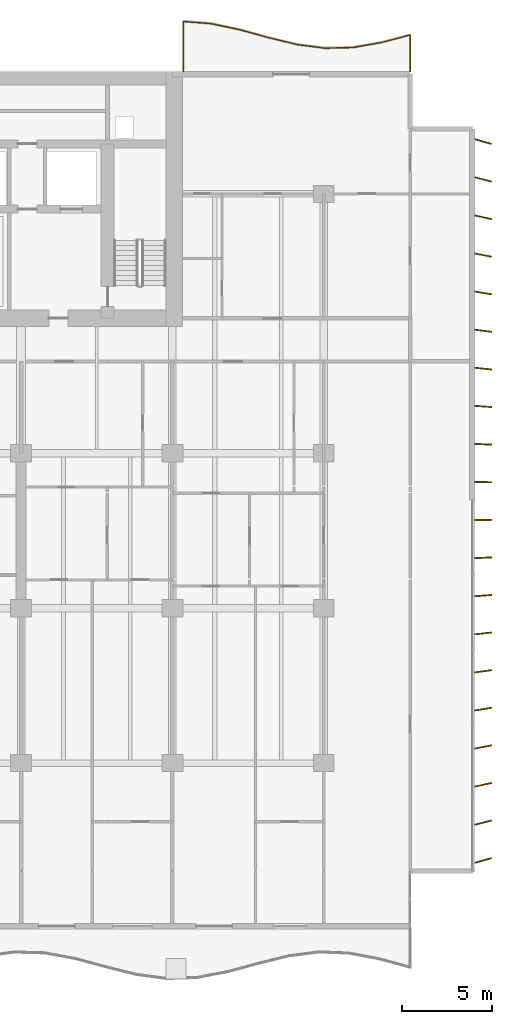
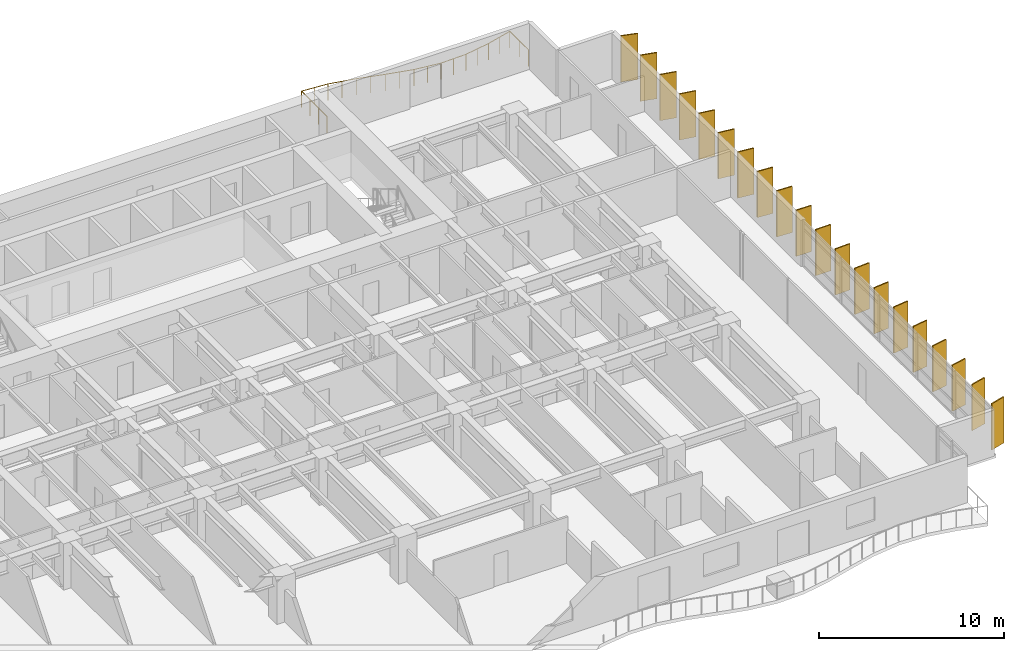
# One storey, part 17 of 17: 20 shading devices, 1 railing.
"""IFC4 building model written with IfcOpenShell, lengths in metres."""

from ifc_helpers import new_model, si_unit, direction, frame, origin, origin_2d, place, context, subcontext, project, spatial, rectangle, circle, extrude, material, material_profile, profile_set, type_object, element, save


model = new_model("IFC4")

# Units and contexts
model_context = context("Model", 3, precision=1e-05, world=origin(), true_north=direction((0.0, 1.0)))
body_context = subcontext(model_context, "Body", "Model", "MODEL_VIEW")
ifc_project = project(units=[si_unit("LENGTHUNIT", "METRE"), si_unit("AREAUNIT", "SQUARE_METRE"), si_unit("VOLUMEUNIT", "CUBIC_METRE"), si_unit("PLANEANGLEUNIT", "RADIAN"), si_unit("MASSUNIT", "GRAM", prefix="KILO")], contexts=[model_context])

# Site, building, storey
site_placement = place(None, origin())
site = spatial("IfcSite", under=ifc_project, at=site_placement, CompositionType="ELEMENT")
building_placement = place(site_placement, origin())
building = spatial("IfcBuilding", under=site, at=building_placement, Name="Caelmar Bay Residences", CompositionType="ELEMENT")
storey_placement = place(building_placement, frame((0.0, 0.0, 30.0)))
storey = spatial("IfcBuildingStorey", under=building, at=storey_placement, Name="L06", CompositionType="ELEMENT", Elevation=30.0)

# Railing
ifc_material_1 = material(Name="Anodised bronze handrail with laminated hurricane glass infill", Category="glass")
railing_type = type_object("IfcRailingType", Name="RL-BAL-1100", PredefinedType="BALUSTRADE", material=ifc_material_1)
railing_placement = place(storey_placement, frame((72.699951171875, 50.60009765625, 0.0)))
element("IfcRailing", 1, at=railing_placement, inside=storey, type_object=railing_type, Name="L06 north_east Balcony Balustrade", PredefinedType="BALUSTRADE", context=body_context, shape_type="SweptSolid", body=[
    extrude(circle(Radius=0.02392578125, at=origin_2d()), frame((0.0, 0.0, 1.076171875), z_axis=(0.0, 1.0, 0.0), x_axis=(-1.0, 0.0, 0.0)), (0.0, 0.0, 1.0), 2.02001953125),
    extrude(circle(Radius=0.02392578125, at=origin_2d()), frame((0.0, 2.02001953125, 1.076171875), z_axis=(-0.966728120508, -0.255806061341, 0.0), x_axis=(0.255806061341, -0.966728120508, 0.0)), (0.0, 0.0, 1.0), 1.629150390625),
    extrude(circle(Radius=0.02392578125, at=origin_2d()), frame((-1.574951171875, 1.603271484375, 1.076171875), z_axis=(-0.984950641335, -0.172835858935, 0.0), x_axis=(0.172835858935, -0.984950641335, 0.0)), (0.0, 0.0, 1.0), 1.59912109375),
    extrude(circle(Radius=0.02392578125, at=origin_2d()), frame((-3.14990234375, 1.326904296875, 1.076171875), z_axis=(-0.9996364388, -0.026962756216, 0.0), x_axis=(0.026962756216, -0.9996364388, 0.0)), (0.0, 0.0, 1.0), 1.575439453125),
    extrude(circle(Radius=0.02392578125, at=origin_2d()), frame((-4.724853515625, 1.284423828125, 1.076171875), z_axis=(-0.991631235968, 0.129102640765, 0.0), x_axis=(-0.129102640765, -0.991631235968, 0.0)), (0.0, 0.0, 1.0), 1.58837890625),
    extrude(circle(Radius=0.02392578125, at=origin_2d()), frame((-6.300048828125, 1.489501953125, 1.076171875), z_axis=(-0.971534712274, 0.236897241111, 0.0), x_axis=(-0.236897241111, -0.971534712274, 0.0)), (0.0, 0.0, 1.0), 1.62109375),
    extrude(circle(Radius=0.02392578125, at=origin_2d()), frame((-7.875, 1.87353515625, 1.076171875), z_axis=(-0.964168126778, 0.265291958616, 0.0), x_axis=(-0.265291958616, -0.964168126778, 0.0)), (0.0, 0.0, 1.0), 1.633544921875),
    extrude(circle(Radius=0.02392578125, at=origin_2d()), frame((-9.449951171875, 2.306884765625, 1.076171875), z_axis=(-0.977906557301, 0.209042496127, 0.0), x_axis=(-0.209042496127, -0.977906557301, 0.0)), (0.0, 0.0, 1.0), 1.610595703125),
    extrude(circle(Radius=0.02392578125, at=origin_2d()), frame((-11.02490234375, 2.6435546875, 1.076171875), z_axis=(-0.996791652008, 0.08004000554, 0.0), x_axis=(-0.08004000554, -0.996791652008, 0.0)), (0.0, 0.0, 1.0), 1.580078125),
    extrude(circle(Radius=0.02392578125, at=origin_2d()), frame((-12.599853515625, 2.77001953125, 1.076171875), z_axis=(0.0, -1.0, 0.0), x_axis=(1.0, 0.0, 0.0)), (0.0, 0.0, 1.0), 2.77001953125),
    extrude(circle(Radius=0.02099609375, at=origin_2d()), origin(), (0.0, 0.0, 1.0), 1.052001953125),
    extrude(circle(Radius=0.02099609375, at=origin_2d()), frame((0.0, 1.010009765625, 0.0)), (0.0, 0.0, 1.0), 1.052001953125),
    extrude(circle(Radius=0.02099609375, at=origin_2d()), frame((0.0, 2.02001953125, 0.0)), (0.0, 0.0, 1.0), 1.052001953125),
    extrude(circle(Radius=0.02099609375, at=origin_2d()), frame((-0.78759765625, 1.8115234375, 0.0)), (0.0, 0.0, 1.0), 1.052001953125),
    extrude(circle(Radius=0.02099609375, at=origin_2d()), frame((-1.574951171875, 1.603271484375, 0.0)), (0.0, 0.0, 1.0), 1.052001953125),
    extrude(circle(Radius=0.02099609375, at=origin_2d()), frame((-2.3623046875, 1.465087890625, 0.0)), (0.0, 0.0, 1.0), 1.052001953125),
    extrude(circle(Radius=0.02099609375, at=origin_2d()), frame((-3.14990234375, 1.326904296875, 0.0)), (0.0, 0.0, 1.0), 1.052001953125),
    extrude(circle(Radius=0.02099609375, at=origin_2d()), frame((-3.9375, 1.3056640625, 0.0)), (0.0, 0.0, 1.0), 1.052001953125),
    extrude(circle(Radius=0.02099609375, at=origin_2d()), frame((-4.724853515625, 1.284423828125, 0.0)), (0.0, 0.0, 1.0), 1.052001953125),
    extrude(circle(Radius=0.02099609375, at=origin_2d()), frame((-5.512451171875, 1.386962890625, 0.0)), (0.0, 0.0, 1.0), 1.052001953125),
    extrude(circle(Radius=0.02099609375, at=origin_2d()), frame((-6.300048828125, 1.489501953125, 0.0)), (0.0, 0.0, 1.0), 1.052001953125),
    extrude(circle(Radius=0.02099609375, at=origin_2d()), frame((-7.08740234375, 1.681640625, 0.0)), (0.0, 0.0, 1.0), 1.052001953125),
    extrude(circle(Radius=0.02099609375, at=origin_2d()), frame((-7.875, 1.87353515625, 0.0)), (0.0, 0.0, 1.0), 1.052001953125),
    extrude(circle(Radius=0.02099609375, at=origin_2d()), frame((-8.66259765625, 2.09033203125, 0.0)), (0.0, 0.0, 1.0), 1.052001953125),
    extrude(circle(Radius=0.02099609375, at=origin_2d()), frame((-9.449951171875, 2.306884765625, 0.0)), (0.0, 0.0, 1.0), 1.052001953125),
    extrude(circle(Radius=0.02099609375, at=origin_2d()), frame((-10.2373046875, 2.47509765625, 0.0)), (0.0, 0.0, 1.0), 1.052001953125),
    extrude(circle(Radius=0.02099609375, at=origin_2d()), frame((-11.02490234375, 2.6435546875, 0.0)), (0.0, 0.0, 1.0), 1.052001953125),
    extrude(circle(Radius=0.02099609375, at=origin_2d()), frame((-11.8125, 2.706787109375, 0.0)), (0.0, 0.0, 1.0), 1.052001953125),
    extrude(circle(Radius=0.02099609375, at=origin_2d()), frame((-12.599853515625, 2.77001953125, 0.0)), (0.0, 0.0, 1.0), 1.052001953125),
    extrude(circle(Radius=0.02099609375, at=origin_2d()), frame((-12.599853515625, 1.8466796875, 0.0)), (0.0, 0.0, 1.0), 1.052001953125),
    extrude(circle(Radius=0.02099609375, at=origin_2d()), frame((-12.599853515625, 0.92333984375, 0.0)), (0.0, 0.0, 1.0), 1.052001953125),
    extrude(circle(Radius=0.02099609375, at=origin_2d()), frame((-12.599853515625, 0.0, 0.0)), (0.0, 0.0, 1.0), 1.052001953125),
])

# Shading devices
ifc_material_2 = material(Name="Anodised architectural bronze aluminium 6063-T6", Category="aluminium")
ifc_material_profile = material_profile(ifc_material_2, rectangle(XDim=0.074951171875, YDim=0.949951171875, at=origin_2d()), Name="BRONZE-FIN-75X950")
ifc_profile_set = profile_set([ifc_material_profile], Name="Anodised architectural bronze aluminium 6063-T6")
shading_device_type = type_object("IfcShadingDeviceType", Name="SHD-FIN-950", PredefinedType="USERDEFINED", material=ifc_profile_set)
for number, where, z_axis, x_axis, name in (
    (2, (76.75, 6.800048828125, 0.0), (0.0, 0.0, 1.0), (-0.275637355817, 0.961261695938, 0.0), "L06 East Bronze Solar Fin 1"),
    (3, (76.75, 8.89990234375, 0.0), (0.0, 0.0, 1.0), (-0.247337247968, 0.968929453452, 0.0), "L06 East Bronze Solar Fin 2"),
    (4, (76.75, 11.0, 0.0), (0.0, 0.0, 1.0), (-0.218654200292, 0.975802408633, 0.0), "L06 East Bronze Solar Fin 3"),
    (5, (76.75, 13.10009765625, 0.0), (0.0, 0.0, 1.0), (-0.189952291512, 0.981793321911, 0.0), "L06 East Bronze Solar Fin 4"),
    (6, (76.75, 15.199951171875, 0.0), (0.0, 0.0, 1.0), (-0.160914826518, 0.986968296657, 0.0), "L06 East Bronze Solar Fin 5"),
    (7, (76.75, 17.300048828125, 0.0), (0.0, 0.0, 1.0), (-0.131910382711, 0.991261646052, 0.0), "L06 East Bronze Solar Fin 6"),
    (8, (76.75, 19.39990234375, 0.0), (0.0, 0.0, 1.0), (-0.10261892683, 0.994720742649, 0.0), "L06 East Bronze Solar Fin 7"),
    (9, (76.75, 21.5, 0.0), (0.0, 0.0, 1.0), (-0.073412260224, 0.997301679558, 0.0), "L06 East Bronze Solar Fin 8"),
    (10, (76.75, 23.60009765625, 0.0), (0.0, 0.0, 1.0), (-0.044142481788, 0.999025245578, 0.0), "L06 East Bronze Solar Fin 9"),
    (11, (76.75, 25.699951171875, 0.0), (0.0, 0.0, 1.0), (-0.01466024053, 0.999892532899, 0.0), "L06 East Bronze Solar Fin 10"),
    (12, (76.75, 27.800048828125, 0.0), (0.0, 0.0, 1.0), (0.01466024053, 0.999892532899, 0.0), "L06 East Bronze Solar Fin 11"),
    (13, (76.75, 29.89990234375, 0.0), (0.0, 0.0, 1.0), (0.044142481788, 0.999025245578, 0.0), "L06 East Bronze Solar Fin 12"),
    (14, (76.75, 32.0, 0.0), (0.0, 0.0, 1.0), (0.073412260224, 0.997301679558, 0.0), "L06 East Bronze Solar Fin 13"),
    (15, (76.75, 34.10009765625, 0.0), (0.0, 0.0, 1.0), (0.10261892683, 0.994720742649, 0.0), "L06 East Bronze Solar Fin 14"),
    (16, (76.75, 36.199951171875, 0.0), (0.0, 0.0, 1.0), (0.131910382711, 0.991261646052, 0.0), "L06 East Bronze Solar Fin 15"),
    (17, (76.75, 38.300048828125, 0.0), (0.0, 0.0, 1.0), (0.160914826518, 0.986968296657, 0.0), "L06 East Bronze Solar Fin 16"),
    (18, (76.75, 40.39990234375, 0.0), (0.0, 0.0, 1.0), (0.189952291512, 0.981793321911, 0.0), "L06 East Bronze Solar Fin 17"),
    (19, (76.75, 42.5, 0.0), (0.0, 0.0, 1.0), (0.218654200292, 0.975802408633, 0.0), "L06 East Bronze Solar Fin 18"),
    (20, (76.75, 44.60009765625, 0.0), (0.0, 0.0, 1.0), (0.247337247968, 0.968929453452, 0.0), "L06 East Bronze Solar Fin 19"),
    (21, (76.75, 46.699951171875, 0.0), (0.0, 0.0, 1.0), (0.275637355817, 0.961261695938, 0.0), "L06 East Bronze Solar Fin 20"),
):
    element("IfcShadingDevice", number, at=place(storey_placement, frame(where, z_axis=z_axis, x_axis=x_axis)), inside=storey, type_object=shading_device_type, Name=name, ObjectType="FIN", PredefinedType="USERDEFINED", context=body_context, shape_type="SweptSolid", body=[
        extrude(rectangle(XDim=0.074951171875, YDim=0.949951171875, at=origin_2d()), origin(), (0.0, 0.0, 1.0), 3.050048828125),
    ])

save(model, "model.ifc")
